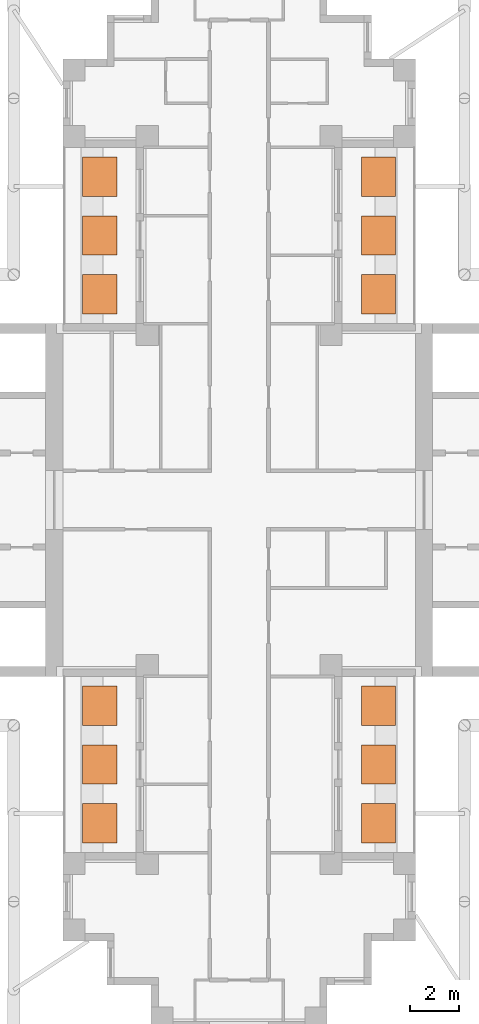
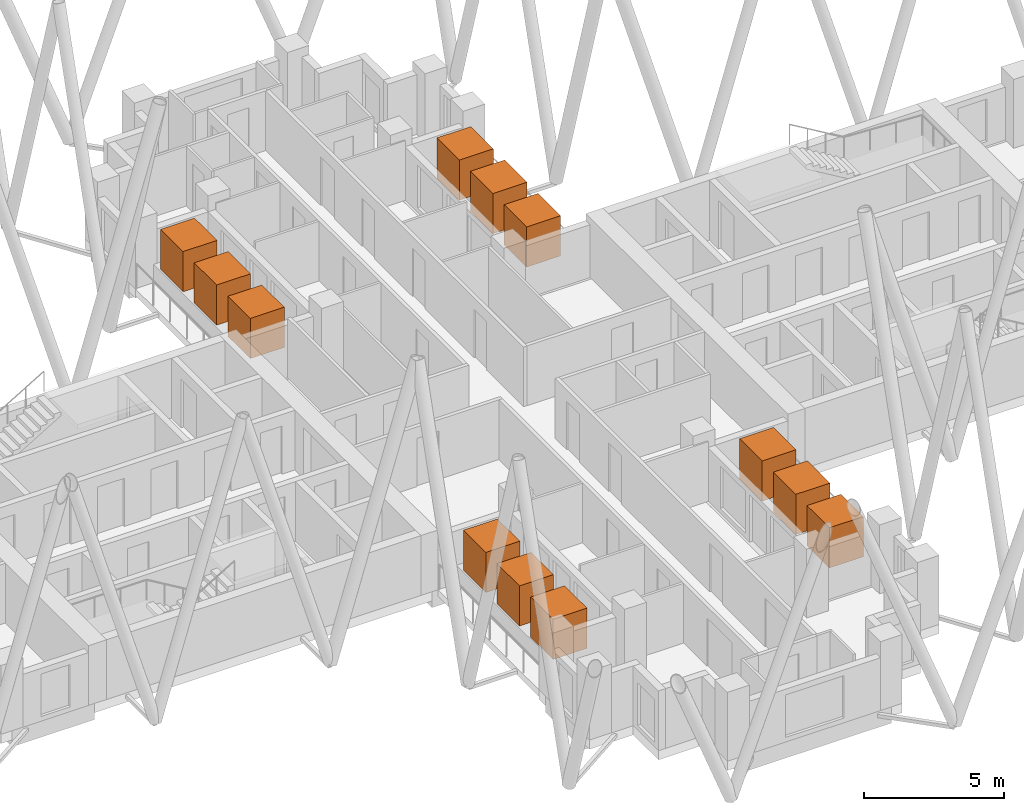
# One storey, part 11 of 11: 12 geographic elements.
"""IFC4 building model written with IfcOpenShell, lengths in metres."""

from ifc_helpers import new_model, si_unit, direction, frame, origin, origin_2d, place, context, subcontext, project, spatial, rectangle, extrude, material, element, save


model = new_model("IFC4")

# Units and contexts
model_context = context("Model", 3, precision=1e-05, world=origin(), true_north=direction((0.0, 1.0)))
body_context = subcontext(model_context, "Body", "Model", "MODEL_VIEW")
ifc_project = project(units=[si_unit("LENGTHUNIT", "METRE"), si_unit("AREAUNIT", "SQUARE_METRE"), si_unit("VOLUMEUNIT", "CUBIC_METRE"), si_unit("PLANEANGLEUNIT", "RADIAN"), si_unit("MASSUNIT", "GRAM", prefix="KILO")], contexts=[model_context])

# Site, building, storey
site_placement = place(None, origin())
site = spatial("IfcSite", under=ifc_project, at=site_placement, CompositionType="ELEMENT")
building_placement = place(site_placement, origin())
building = spatial("IfcBuilding", under=site, at=building_placement, Name="Fustian Cross Tower", CompositionType="ELEMENT")
storey_placement = place(building_placement, frame((0.0, 0.0, 210.89990234375)))
storey = spatial("IfcBuildingStorey", under=building, at=storey_placement, Name="L66", CompositionType="ELEMENT", Elevation=210.89990234375)

# Geographic elements
ifc_material = material(Name="Evergreen foliage")
for number, where, z_axis, x_axis, name in (
    (1, (5.68994140625, 8.39990234375, 0.800048828125), (0.0, 0.0, 1.0), (1.0, 0.0, 0.0), "TREE field maple"),
    (2, (5.68994140625, 10.800048828125, 0.800048828125), (0.0, 0.0, 1.0), (1.0, 0.0, 0.0), "TREE field maple"),
    (3, (5.68994140625, 13.199951171875, 0.800048828125), (0.0, 0.0, 1.0), (1.0, 0.0, 0.0), "TREE field maple"),
    (4, (-5.68994140625, 8.39990234375, 0.800048828125), (0.0, 0.0, 1.0), (1.0, 0.0, 0.0), "TREE field maple"),
    (5, (-5.68994140625, 10.800048828125, 0.800048828125), (0.0, 0.0, 1.0), (1.0, 0.0, 0.0), "TREE field maple"),
    (6, (-5.68994140625, 13.199951171875, 0.800048828125), (0.0, 0.0, 1.0), (1.0, 0.0, 0.0), "TREE field maple"),
    (7, (5.68994140625, -13.199951171875, 0.800048828125), (0.0, 0.0, 1.0), (1.0, 0.0, 0.0), "TREE field maple"),
    (8, (5.68994140625, -10.800048828125, 0.800048828125), (0.0, 0.0, 1.0), (1.0, 0.0, 0.0), "TREE field maple"),
    (9, (5.68994140625, -8.39990234375, 0.800048828125), (0.0, 0.0, 1.0), (1.0, 0.0, 0.0), "TREE field maple"),
    (10, (-5.68994140625, -13.199951171875, 0.800048828125), (0.0, 0.0, 1.0), (1.0, 0.0, 0.0), "TREE field maple"),
    (11, (-5.68994140625, -10.800048828125, 0.800048828125), (0.0, 0.0, 1.0), (1.0, 0.0, 0.0), "TREE field maple"),
    (12, (-5.68994140625, -8.39990234375, 0.800048828125), (0.0, 0.0, 1.0), (1.0, 0.0, 0.0), "TREE field maple"),
):
    element("IfcGeographicElement", number, at=place(storey_placement, frame(where, z_axis=z_axis, x_axis=x_axis)), inside=storey, material=ifc_material, Name=name, ObjectType="VEGETATION", PredefinedType="USERDEFINED", context=body_context, shape_type="SweptSolid", body=[
        extrude(rectangle(XDim=1.39990234375, YDim=1.60009765625, at=origin_2d()), origin(), (0.0, 0.0, 1.0), 1.75),
    ])

save(model, "model.ifc")
